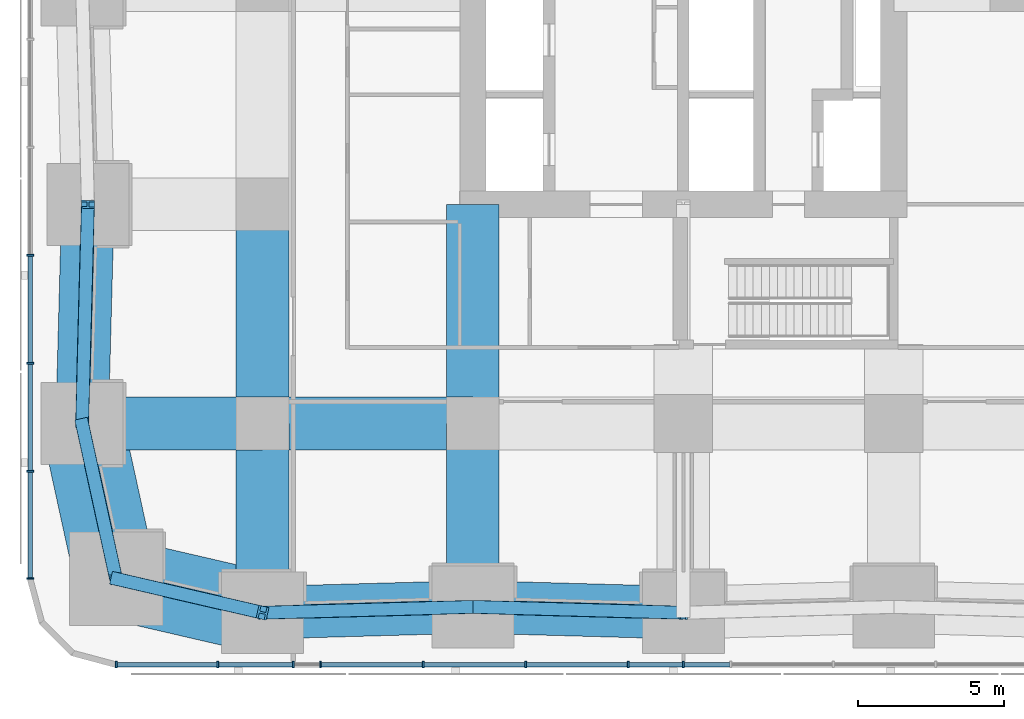
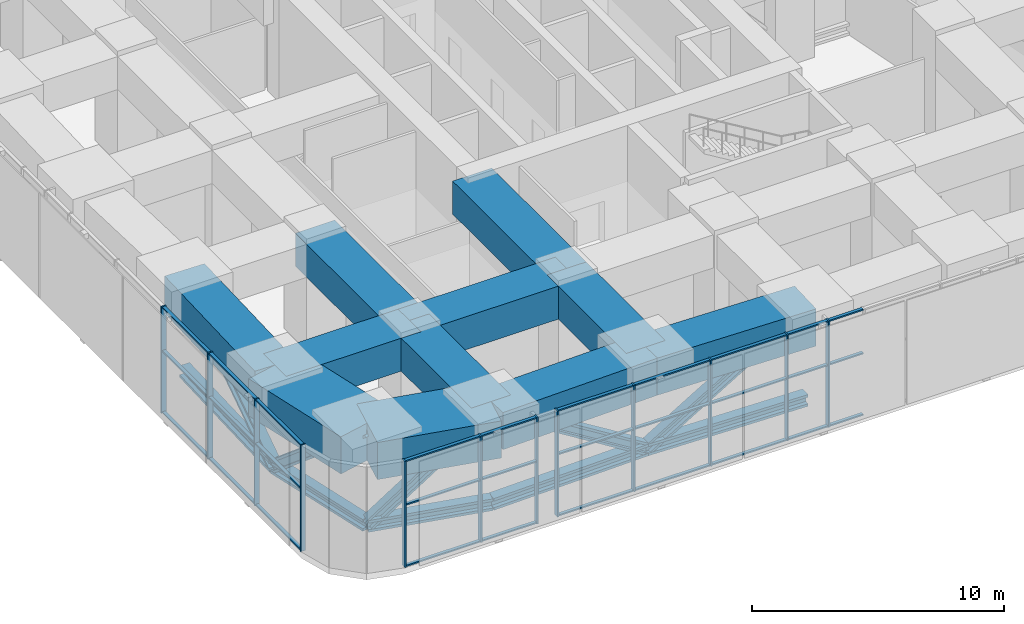
# One storey, part 2 of 20: 52 members, 11 beams, 2 elements without a shape of their own.
"""IFC4 building model written with IfcOpenShell, lengths in metres."""

import ifcopenshell
import ifcopenshell.guid

model = None  # the IFC model being written
_history = None  # IfcOwnerHistory: only IFC2X3 demands one
_inside = {}  # id of a spatial element -> (the spatial element, [elements in it])
_under = {}  # id of a project, library or spatial element -> (it, [spatial elements below it])
_declared = {}  # id of a project -> (the project, [libraries it declares])
_typed = {}  # id of a type object -> (the type object, [elements of that type])
_made_of = {}  # id of a material, layer set ... -> (it, [elements and type objects made of it])


def new_model(schema):
    """Start an empty IFC model of exactly this schema.

    Asked for "IFC4X3", IfcOpenShell would pick the latest addendum, in which some entities
    have other attributes; the version numbers below select the first issue.
    IFC2X3 requires an IfcOwnerHistory on every rooted entity: one is made here for all.
    """
    global model, _history
    if schema == "IFC4X3":
        model = ifcopenshell.file(schema_version=(4, 3, 0, 0))
    else:
        model = ifcopenshell.file(schema=schema)
    _inside.clear()
    _under.clear()
    _declared.clear()
    _typed.clear()
    _made_of.clear()
    _history = None
    if model.schema == "IFC2X3":
        org = make("IfcOrganization", Name="unknown")
        user = make(
            "IfcPersonAndOrganization",
            ThePerson=make("IfcPerson", FamilyName="unknown"),
            TheOrganization=org,
        )
        app = make(
            "IfcApplication",
            ApplicationDeveloper=org,
            Version="unknown",
            ApplicationFullName="unknown",
            ApplicationIdentifier="unknown",
        )
        _history = make(
            "IfcOwnerHistory",
            OwningUser=user,
            OwningApplication=app,
            ChangeAction="ADDED",
            CreationDate=0,
        )
    return model


def make(cls, **values):
    """One entity of the class cls with the attributes given. An attribute that is None is left unset."""
    return model.create_entity(
        cls, **{name: value for name, value in values.items() if value is not None}
    )


def rooted(cls, **values):
    """An entity with a GlobalId (a new one), such as an element, a storey or a relation."""
    return make(cls, GlobalId=ifcopenshell.guid.new(), OwnerHistory=_history, **values)


def si_unit(unit_type, name, prefix=None):
    """IfcSIUnit, for example si_unit("LENGTHUNIT", "METRE", prefix="MILLI")."""
    return make("IfcSIUnit", UnitType=unit_type, Prefix=prefix, Name=name)


def assignment(units):
    """IfcUnitAssignment: the units of a project."""
    return None if units is None else make("IfcUnitAssignment", Units=units)


def point(xyz):
    """IfcCartesianPoint."""
    return None if xyz is None else make("IfcCartesianPoint", Coordinates=xyz)


def direction(xyz):
    """IfcDirection."""
    return None if xyz is None else make("IfcDirection", DirectionRatios=xyz)


def frame(location, z_axis=None, x_axis=None):
    """IfcAxis2Placement3D, a coordinate frame: its origin and axes. An axis left out is left unset."""
    return make(
        "IfcAxis2Placement3D",
        Location=point(location),
        Axis=direction(z_axis),
        RefDirection=direction(x_axis),
    )


def frame_2d(location, x_axis=None):
    """IfcAxis2Placement2D, a coordinate frame in the plane: its origin and x axis."""
    return make(
        "IfcAxis2Placement2D", Location=point(location), RefDirection=direction(x_axis)
    )


def origin():
    """The frame at (0, 0, 0) with its axes left unset."""
    return frame((0.0, 0.0, 0.0))


def origin_2d():
    """The frame at (0, 0) in the plane with its x axis left unset."""
    return frame_2d((0.0, 0.0))


def place(relative_to, where):
    """IfcLocalPlacement: puts the frame where relative to a parent placement (None: the world)."""
    return make(
        "IfcLocalPlacement", PlacementRelTo=relative_to, RelativePlacement=where
    )


def context(
    kind, dimensions, precision=None, world=None, true_north=None, identifier=None
):
    """IfcGeometricRepresentationContext, for example the 3D "Model" context."""
    return make(
        "IfcGeometricRepresentationContext",
        ContextIdentifier=identifier,
        ContextType=kind,
        CoordinateSpaceDimension=dimensions,
        Precision=precision,
        WorldCoordinateSystem=world,
        TrueNorth=true_north,
    )


def subcontext(parent, identifier, kind, view, scale=None):
    """IfcGeometricRepresentationSubContext, for example "Body" below "Model"."""
    return make(
        "IfcGeometricRepresentationSubContext",
        ContextIdentifier=identifier,
        ContextType=kind,
        ParentContext=parent,
        TargetScale=scale,
        TargetView=view,
    )


def project(units=None, contexts=None):
    """IfcProject with its units and contexts."""
    return rooted(
        "IfcProject",
        Name="project",
        RepresentationContexts=contexts,
        UnitsInContext=assignment(units),
    )


def spatial(cls, under=None, at=None, **own):
    """A site, building, storey or space (cls), placed at a placement, below another one or the project."""
    s = rooted(cls, ObjectPlacement=at, **own)
    if under is not None:
        _under.setdefault(under.id(), (under, []))[1].append(s)
    return s


def profile(cls, at=None, kind="AREA", **sizes):
    """A parametric profile (cls). Its sizes go by their IFC names, for example OverallWidth=200.0."""
    return make(cls, ProfileType=kind, Position=at, **sizes)


def rectangle(**sizes):
    """IfcRectangleProfileDef."""
    return profile("IfcRectangleProfileDef", **sizes)


def i_section(**sizes):
    """IfcIShapeProfileDef."""
    return profile("IfcIShapeProfileDef", **sizes)


def extrude(swept, where, along, depth):
    """IfcExtrudedAreaSolid: the profile swept, set in the frame where, extruded along a direction by depth."""
    return make(
        "IfcExtrudedAreaSolid",
        SweptArea=swept,
        Position=where,
        ExtrudedDirection=direction(along),
        Depth=depth,
    )


def shape(context_of_items, identifier, shape_type, items):
    """IfcShapeRepresentation: the items that make up one representation, for example the "Body"."""
    return make(
        "IfcShapeRepresentation",
        ContextOfItems=context_of_items,
        RepresentationIdentifier=identifier,
        RepresentationType=shape_type,
        Items=items,
    )


def material(Name=None, Category=None):
    """IfcMaterial."""
    return make("IfcMaterial", Name=Name, Category=Category)


def material_profile(
    of_material, cross_section, Name=None, Category=None, Priority=None
):
    """IfcMaterialProfile: a cross section and its material."""
    return make(
        "IfcMaterialProfile",
        Name=Name,
        Material=of_material,
        Profile=cross_section,
        Priority=Priority,
        Category=Category,
    )


def profile_set(profiles, Name=None, composite=None):
    """IfcMaterialProfileSet."""
    return make(
        "IfcMaterialProfileSet",
        Name=Name,
        MaterialProfiles=profiles,
        CompositeProfile=composite,
    )


def made_of(thing, what):
    """Note that an element or type object is made of a material, layer set ...; save() writes the relation."""
    if what is not None:
        _made_of.setdefault(what.id(), (what, []))[1].append(thing)
    return thing


def type_object(cls, material=None, **own):
    """A type object (cls), such as IfcWallType, which elements share."""
    return made_of(rooted(cls, **own), material)


def element(
    cls,
    number,
    at=None,
    inside=None,
    cuts=None,
    type_object=None,
    material=None,
    context=None,
    identifier="Body",
    shape_type=None,
    held_by="IfcProductDefinitionShape",
    body=None,
    shapes=None,
    **own,
):
    """One element of the class cls, such as IfcWall. Its Tag is "e" and its number.

    at: its placement. inside: the storey or other place that contains it. cuts: it is an
    opening in that element (IfcRelVoidsElement). A single representation is given by context,
    identifier, shape_type and body (its items); several are given by shapes. held_by: the class
    of the entity that holds the representations. save() writes the other relations.
    """
    e = rooted(cls, Tag="e%d" % number, ObjectPlacement=at, **own)
    if body is not None:
        shapes = [shape(context, identifier, shape_type, body)]
    if shapes is not None:
        e.Representation = make(held_by, Representations=shapes)
    if inside is not None:
        _inside.setdefault(inside.id(), (inside, []))[1].append(e)
    if cuts is not None:
        rooted(
            "IfcRelVoidsElement", RelatingBuildingElement=cuts, RelatedOpeningElement=e
        )
    if type_object is not None:
        _typed.setdefault(type_object.id(), (type_object, []))[1].append(e)
    return made_of(e, material)


def aggregate(whole, parts):
    """IfcRelAggregates: a whole, such as a stair, and the parts it consists of."""
    return rooted("IfcRelAggregates", RelatingObject=whole, RelatedObjects=parts)


def save(model, path):
    """Write the relations noted so far, then the file.

    IfcRelAggregates (storeys below a building ...), IfcRelContainedInSpatialStructure (elements
    in a storey), IfcRelDefinesByType, IfcRelAssociatesMaterial and IfcRelDeclares: one each for
    every whole, place, type object, material and project.
    """
    for whole, parts in _under.values():
        aggregate(whole, parts)
    for where, things in _inside.values():
        rooted(
            "IfcRelContainedInSpatialStructure",
            RelatedElements=things,
            RelatingStructure=where,
        )
    for kind, things in _typed.values():
        rooted("IfcRelDefinesByType", RelatedObjects=things, RelatingType=kind)
    for what, things in _made_of.values():
        rooted("IfcRelAssociatesMaterial", RelatedObjects=things, RelatingMaterial=what)
    for by, libraries in _declared.values():
        rooted("IfcRelDeclares", RelatingContext=by, RelatedDefinitions=libraries)
    model.write(path)


model = new_model("IFC4")

# Units and contexts
model_context = context("Model", 3, precision=1e-05, world=origin(), true_north=direction((0.0, 1.0)))
body_context = subcontext(model_context, "Body", "Model", "MODEL_VIEW")
ifc_project = project(units=[si_unit("LENGTHUNIT", "METRE"), si_unit("AREAUNIT", "SQUARE_METRE"), si_unit("VOLUMEUNIT", "CUBIC_METRE"), si_unit("PLANEANGLEUNIT", "RADIAN"), si_unit("MASSUNIT", "GRAM", prefix="KILO")], contexts=[model_context])

# Site, building, storey
site_placement = place(None, origin())
site = spatial("IfcSite", under=ifc_project, at=site_placement, CompositionType="ELEMENT")
building_placement = place(site_placement, origin())
building = spatial("IfcBuilding", under=site, at=building_placement, Name="Sheger Commons Tower", CompositionType="ELEMENT")
storey_placement = place(building_placement, frame((0.0, 0.0, 72.5)))
storey = spatial("IfcBuildingStorey", under=building, at=storey_placement, Name="L18", CompositionType="ELEMENT", Elevation=72.5)

# Beams
ifc_material_1 = material(Name="Concrete C50/60", Category="concrete")
ifc_material_profile_1 = material_profile(ifc_material_1, rectangle(XDim=1.800048828125, YDim=1.60009765625, at=origin_2d()), Name="RC 1800x1600")
ifc_profile_set_1 = profile_set([ifc_material_profile_1], Name="Concrete C50/60")
beam_type_1 = type_object("IfcBeamType", Name="BEAM RC 1800x1600", PredefinedType="BEAM", material=ifc_profile_set_1)
beam_1_placement = place(storey_placement, frame((1.02490234375, 7.5, 4.35009765625), z_axis=(1.0, 0.0, 0.0), x_axis=(0.0, 1.0, 0.0)))
element("IfcBeam", 1, at=beam_1_placement, inside=storey, type_object=beam_type_1, Name="Beam 1/B-2/B under L19", PredefinedType="BEAM", context=body_context, shape_type="SweptSolid", body=[
    extrude(rectangle(XDim=1.800048828125, YDim=1.60009765625, at=origin_2d()), origin(), (0.0, 0.0, 1.0), 6.175048828125),
])
beam_2_placement = place(storey_placement, frame((7.199951171875, 7.5, 4.35009765625), z_axis=(1.0, 0.0, 0.0), x_axis=(0.0, 1.0, 0.0)))
element("IfcBeam", 2, at=beam_2_placement, inside=storey, type_object=beam_type_1, Name="Beam 2/B-3/B under L19", PredefinedType="BEAM", context=body_context, shape_type="SweptSolid", body=[
    extrude(rectangle(XDim=1.800048828125, YDim=1.60009765625, at=origin_2d()), origin(), (0.0, 0.0, 1.0), 7.199951171875),
])
beam_3_placement = place(storey_placement, frame((7.199951171875, 1.02490234375, 4.35009765625), z_axis=(0.0, 1.0, 0.0), x_axis=(-1.0, 0.0, 0.0)))
element("IfcBeam", 3, at=beam_3_placement, inside=storey, type_object=beam_type_1, Name="Beam 2/A-2/B under L19", PredefinedType="BEAM", context=body_context, shape_type="SweptSolid", body=[
    extrude(rectangle(XDim=1.800048828125, YDim=1.60009765625, at=origin_2d()), origin(), (0.0, 0.0, 1.0), 6.47509765625),
])
beam_4_placement = place(storey_placement, frame((7.199951171875, 7.5, 4.35009765625), z_axis=(0.0, 1.0, 0.0), x_axis=(-1.0, 0.0, 0.0)))
element("IfcBeam", 4, at=beam_4_placement, inside=storey, type_object=beam_type_1, Name="Beam 2/B-2/C under L19", PredefinedType="BEAM", context=body_context, shape_type="SweptSolid", body=[
    extrude(rectangle(XDim=1.800048828125, YDim=1.60009765625, at=origin_2d()), origin(), (0.0, 0.0, 1.0), 7.5),
])
beam_5_placement = place(storey_placement, frame((14.39990234375, 1.22509765625, 4.35009765625), z_axis=(0.0, 1.0, 0.0), x_axis=(-1.0, 0.0, 0.0)))
element("IfcBeam", 5, at=beam_5_placement, inside=storey, type_object=beam_type_1, Name="Beam 3/A-3/B under L19", PredefinedType="BEAM", context=body_context, shape_type="SweptSolid", body=[
    extrude(rectangle(XDim=1.800048828125, YDim=1.60009765625, at=origin_2d()), origin(), (0.0, 0.0, 1.0), 6.27490234375),
])
beam_6_placement = place(storey_placement, frame((14.39990234375, 7.5, 4.35009765625), z_axis=(0.0, 1.0, 0.0), x_axis=(-1.0, 0.0, 0.0)))
element("IfcBeam", 6, at=beam_6_placement, inside=storey, type_object=beam_type_1, Name="Beam 3/B-3/C under L19", PredefinedType="BEAM", context=body_context, shape_type="SweptSolid", body=[
    extrude(rectangle(XDim=1.800048828125, YDim=1.60009765625, at=origin_2d()), origin(), (0.0, 0.0, 1.0), 7.5),
])

# Members
ifc_material_2 = material(Name="Steel S460", Category="steel")
ifc_material_profile_2 = material_profile(ifc_material_2, i_section(OverallWidth=0.44189453125, OverallDepth=0.531005859375, WebThickness=0.06591796875, FlangeThickness=0.10595703125, at=origin_2d()), Name="HD 400x900")
ifc_profile_set_2 = profile_set([ifc_material_profile_2], Name="Steel S460")
member_type_1 = type_object("IfcMemberType", Name="BRACE HD 400x900", PredefinedType="BRACE", material=ifc_profile_set_2)
member_1_placement = place(storey_placement, frame((2.18603515625, 2.18603515625, 0.300048828125), z_axis=(0.729876933759, -0.169026376635, 0.662351678165), x_axis=(0.225611239159, 0.974217413499, 0.0)))
element("IfcMember", 7, at=member_1_placement, inside=storey, type_object=member_type_1, Name="Belt truss diagonal 2.186,2.186-7.200,1.025", PredefinedType="BRACE", context=body_context, shape_type="SweptSolid", body=[
    extrude(i_section(OverallWidth=0.44189453125, OverallDepth=0.531005859375, WebThickness=0.06591796875, FlangeThickness=0.10595703125, at=origin_2d()), origin(), (0.0, 0.0, 1.0), 6.86962890625),
])
member_2_placement = place(storey_placement, frame((14.39990234375, 1.22509765625, 0.300048828125), z_axis=(-0.845111730935, -0.023498410341, 0.534073016494), x_axis=(0.027794350926, -0.9996136624, 0.0)))
element("IfcMember", 8, at=member_2_placement, inside=storey, type_object=member_type_1, Name="Belt truss diagonal 7.200,1.025-14.400,1.225", PredefinedType="BRACE", context=body_context, shape_type="SweptSolid", body=[
    extrude(i_section(OverallWidth=0.44189453125, OverallDepth=0.531005859375, WebThickness=0.06591796875, FlangeThickness=0.10595703125, at=origin_2d()), origin(), (0.0, 0.0, 1.0), 8.51953125),
])
member_3_placement = place(storey_placement, frame((14.39990234375, 1.22509765625, 0.300048828125), z_axis=(0.845119920297, -0.023497841267, 0.53406008255), x_axis=(0.027793409217, 0.999613688584, 0.0)))
element("IfcMember", 9, at=member_3_placement, inside=storey, type_object=member_type_1, Name="Belt truss diagonal 14.400,1.225-21.600,1.025", PredefinedType="BRACE", context=body_context, shape_type="SweptSolid", body=[
    extrude(i_section(OverallWidth=0.44189453125, OverallDepth=0.531005859375, WebThickness=0.06591796875, FlangeThickness=0.10595703125, at=origin_2d()), origin(), (0.0, 0.0, 1.0), 8.519775390625),
])
member_4_placement = place(storey_placement, frame((1.02490234375, 7.5, 0.300048828125), z_axis=(0.022815406971, 0.854743051392, 0.518549682578), x_axis=(-0.999643939919, 0.026683204125, 0.0)))
element("IfcMember", 10, at=member_4_placement, inside=storey, type_object=member_type_1, Name="Belt truss diagonal 1+1225/C-1+1025/B", PredefinedType="BRACE", context=body_context, shape_type="SweptSolid", body=[
    extrude(i_section(OverallWidth=0.44189453125, OverallDepth=0.531005859375, WebThickness=0.06591796875, FlangeThickness=0.10595703125, at=origin_2d()), origin(), (0.0, 0.0, 1.0), 8.774658203125),
])
member_5_placement = place(storey_placement, frame((1.02490234375, 7.5, 0.300048828125), z_axis=(0.163735815706, -0.749342675496, 0.641619932152), x_axis=(0.976949769283, 0.213469314652, 0.0)))
element("IfcMember", 11, at=member_5_placement, inside=storey, type_object=member_type_1, Name="Belt truss diagonal 1+1025/B-2.186,2.186", PredefinedType="BRACE", context=body_context, shape_type="SweptSolid", body=[
    extrude(i_section(OverallWidth=0.44189453125, OverallDepth=0.531005859375, WebThickness=0.06591796875, FlangeThickness=0.10595703125, at=origin_2d()), origin(), (0.0, 0.0, 1.0), 7.091552734375),
])
ifc_material_3 = material(Name="Steel S460", Category="steel")
ifc_material_profile_3 = material_profile(ifc_material_3, i_section(OverallWidth=0.4541015625, OverallDepth=0.569091796875, WebThickness=0.077880859375, FlangeThickness=0.125, at=origin_2d()), Name="HD 400x1086")
ifc_profile_set_3 = profile_set([ifc_material_profile_3], Name="Steel S460")
member_type_2 = type_object("IfcMemberType", Name="CHORD HD 400x1086", PredefinedType="CHORD", material=ifc_profile_set_3)
member_6_placement = place(storey_placement, frame((2.18603515625, 2.18603515625, 0.300048828125), z_axis=(0.974217413499, -0.225611239159, 0.0), x_axis=(0.225611239159, 0.974217413499, 0.0)))
element("IfcMember", 12, at=member_6_placement, inside=storey, type_object=member_type_2, Name="Belt truss bottom chord 2.186,2.186-7.200,1.025", PredefinedType="CHORD", context=body_context, shape_type="SweptSolid", body=[
    extrude(i_section(OverallWidth=0.4541015625, OverallDepth=0.569091796875, WebThickness=0.077880859375, FlangeThickness=0.125, at=origin_2d()), origin(), (0.0, 0.0, 1.0), 5.146728515625),
])
member_7_placement = place(storey_placement, frame((7.199951171875, 1.02490234375, 0.300048828125), z_axis=(0.9996136624, 0.027794350926, 0.0), x_axis=(-0.027794350926, 0.9996136624, 0.0)))
element("IfcMember", 13, at=member_7_placement, inside=storey, type_object=member_type_2, Name="Belt truss bottom chord 7.200,1.025-14.400,1.225", PredefinedType="CHORD", context=body_context, shape_type="SweptSolid", body=[
    extrude(i_section(OverallWidth=0.4541015625, OverallDepth=0.569091796875, WebThickness=0.077880859375, FlangeThickness=0.125, at=origin_2d()), origin(), (0.0, 0.0, 1.0), 7.20263671875),
])
member_8_placement = place(storey_placement, frame((14.39990234375, 1.22509765625, 0.300048828125), z_axis=(0.999613688584, -0.027793409217, 0.0), x_axis=(0.027793409217, 0.999613688584, 0.0)))
element("IfcMember", 14, at=member_8_placement, inside=storey, type_object=member_type_2, Name="Belt truss bottom chord 14.400,1.225-21.600,1.025", PredefinedType="CHORD", context=body_context, shape_type="SweptSolid", body=[
    extrude(i_section(OverallWidth=0.4541015625, OverallDepth=0.569091796875, WebThickness=0.077880859375, FlangeThickness=0.125, at=origin_2d()), origin(), (0.0, 0.0, 1.0), 7.202880859375),
])
member_9_placement = place(storey_placement, frame((1.22509765625, 15.0, 0.300048828125), z_axis=(-0.026683204125, -0.999643939919, 0.0), x_axis=(0.999643939919, -0.026683204125, 0.0)))
element("IfcMember", 15, at=member_9_placement, inside=storey, type_object=member_type_2, Name="Belt truss bottom chord 1+1225/C-1+1025/B", PredefinedType="CHORD", context=body_context, shape_type="SweptSolid", body=[
    extrude(i_section(OverallWidth=0.4541015625, OverallDepth=0.569091796875, WebThickness=0.077880859375, FlangeThickness=0.125, at=origin_2d()), origin(), (0.0, 0.0, 1.0), 7.502685546875),
])
member_10_placement = place(storey_placement, frame((1.02490234375, 7.5, 0.300048828125), z_axis=(0.213469314652, -0.976949769283, 0.0), x_axis=(0.976949769283, 0.213469314652, 0.0)))
element("IfcMember", 16, at=member_10_placement, inside=storey, type_object=member_type_2, Name="Belt truss bottom chord 1+1025/B-2.186,2.186", PredefinedType="CHORD", context=body_context, shape_type="SweptSolid", body=[
    extrude(i_section(OverallWidth=0.4541015625, OverallDepth=0.569091796875, WebThickness=0.077880859375, FlangeThickness=0.125, at=origin_2d()), origin(), (0.0, 0.0, 1.0), 5.439453125),
])

# Curtain wall, members
ifc_material_4 = material(Name="Black aluminium curtain wall, dark tinted glazing", Category="aluminium")
curtain_wall_type = type_object("IfcCurtainWallType", Name="CURTAIN WALL CW3 SKY FLOOR", PredefinedType="USERDEFINED", material=ifc_material_4)
curtain_wall_1_placement = place(storey_placement, origin())
curtain_wall_1 = element("IfcCurtainWall", 17, at=curtain_wall_1_placement, inside=storey, type_object=curtain_wall_type, Name="Curtain Wall Cw3 Sky Floor S1 L18", ObjectType="UNITISED CURTAIN WALL", PredefinedType="USERDEFINED")
ifc_material_5 = material(Name="Black anodised aluminium", Category="aluminium")
ifc_material_profile_4 = material_profile(ifc_material_5, rectangle(XDim=0.22509765625, YDim=0.06494140625, at=origin_2d()), Name="AL 65x225")
ifc_profile_set_4 = profile_set([ifc_material_profile_4], Name="Black anodised aluminium")
member_type_3 = type_object("IfcMemberType", Name="MULLION AL 65x225", PredefinedType="MULLION", material=ifc_profile_set_4)
member_11_placement = place(storey_placement, frame((2.195556640625, -0.75, 0.0), z_axis=(0.0, 0.0, 1.0), x_axis=(0.0, 1.0, 0.0)))
member_11 = element("IfcMember", 18, at=member_11_placement, type_object=member_type_3, Name="CW3 mullion 1", PredefinedType="MULLION", context=body_context, shape_type="SweptSolid", body=[
    extrude(rectangle(XDim=0.22509765625, YDim=0.06494140625, at=origin_2d()), origin(), (0.0, 0.0, 1.0), 5.14990234375),
])
member_12_placement = place(storey_placement, frame((5.673095703125, -0.75, 0.0), z_axis=(0.0, 0.0, 1.0), x_axis=(0.0, 1.0, 0.0)))
member_12 = element("IfcMember", 19, at=member_12_placement, type_object=member_type_3, Name="CW3 mullion 2", PredefinedType="MULLION", context=body_context, shape_type="SweptSolid", body=[
    extrude(rectangle(XDim=0.22509765625, YDim=0.06494140625, at=origin_2d()), origin(), (0.0, 0.0, 1.0), 5.14990234375),
])
member_13_placement = place(storey_placement, frame((8.25, -0.75, 0.0), z_axis=(0.0, 0.0, 1.0), x_axis=(0.0, 1.0, 0.0)))
member_13 = element("IfcMember", 20, at=member_13_placement, type_object=member_type_3, Name="CW3 mullion 3", PredefinedType="MULLION", context=body_context, shape_type="SweptSolid", body=[
    extrude(rectangle(XDim=0.22509765625, YDim=0.06494140625, at=origin_2d()), origin(), (0.0, 0.0, 1.0), 5.14990234375),
])
member_14_placement = place(storey_placement, frame((9.18310546875, -0.75, 0.0), z_axis=(0.0, 0.0, 1.0), x_axis=(0.0, 1.0, 0.0)))
member_14 = element("IfcMember", 21, at=member_14_placement, type_object=member_type_3, Name="CW3 mullion 4", PredefinedType="MULLION", context=body_context, shape_type="SweptSolid", body=[
    extrude(rectangle(XDim=0.22509765625, YDim=0.06494140625, at=origin_2d()), origin(), (0.0, 0.0, 1.0), 5.14990234375),
])
member_15_placement = place(storey_placement, frame((12.693115234375, -0.75, 0.0), z_axis=(0.0, 0.0, 1.0), x_axis=(0.0, 1.0, 0.0)))
member_15 = element("IfcMember", 22, at=member_15_placement, type_object=member_type_3, Name="CW3 mullion 5", PredefinedType="MULLION", context=body_context, shape_type="SweptSolid", body=[
    extrude(rectangle(XDim=0.22509765625, YDim=0.06494140625, at=origin_2d()), origin(), (0.0, 0.0, 1.0), 5.14990234375),
])
member_16_placement = place(storey_placement, frame((16.201904296875, -0.75, 0.0), z_axis=(0.0, 0.0, 1.0), x_axis=(0.0, 1.0, 0.0)))
member_16 = element("IfcMember", 23, at=member_16_placement, type_object=member_type_3, Name="CW3 mullion 6", PredefinedType="MULLION", context=body_context, shape_type="SweptSolid", body=[
    extrude(rectangle(XDim=0.22509765625, YDim=0.06494140625, at=origin_2d()), origin(), (0.0, 0.0, 1.0), 5.14990234375),
])
member_17_placement = place(storey_placement, frame((19.7119140625, -0.75, 0.0), z_axis=(0.0, 0.0, 1.0), x_axis=(0.0, 1.0, 0.0)))
member_17 = element("IfcMember", 24, at=member_17_placement, type_object=member_type_3, Name="CW3 mullion 7", PredefinedType="MULLION", context=body_context, shape_type="SweptSolid", body=[
    extrude(rectangle(XDim=0.22509765625, YDim=0.06494140625, at=origin_2d()), origin(), (0.0, 0.0, 1.0), 5.14990234375),
])
member_18_placement = place(storey_placement, frame((21.60009765625, -0.75, 0.0), z_axis=(0.0, 0.0, 1.0), x_axis=(0.0, 1.0, 0.0)))
member_18 = element("IfcMember", 25, at=member_18_placement, type_object=member_type_3, Name="CW3 mullion 8", PredefinedType="MULLION", context=body_context, shape_type="SweptSolid", body=[
    extrude(rectangle(XDim=0.22509765625, YDim=0.06494140625, at=origin_2d()), origin(), (0.0, 0.0, 1.0), 5.14990234375),
])

curtain_wall_2_placement = place(storey_placement, origin())
curtain_wall_2 = element("IfcCurtainWall", 26, at=curtain_wall_2_placement, inside=storey, type_object=curtain_wall_type, Name="Curtain Wall Cw3 Sky Floor W1 L18", ObjectType="UNITISED CURTAIN WALL", PredefinedType="USERDEFINED")
member_19_placement = place(storey_placement, frame((-0.75, 13.256103515625, 0.0), z_axis=(0.0, 0.0, 1.0), x_axis=(1.0, 0.0, 0.0)))
member_19 = element("IfcMember", 27, at=member_19_placement, type_object=member_type_3, Name="CW3 mullion 10", PredefinedType="MULLION", context=body_context, shape_type="SweptSolid", body=[
    extrude(rectangle(XDim=0.22509765625, YDim=0.06494140625, at=origin_2d()), origin(), (0.0, 0.0, 1.0), 5.14990234375),
])
member_20_placement = place(storey_placement, frame((-0.75, 9.55810546875, 0.0), z_axis=(0.0, 0.0, 1.0), x_axis=(1.0, 0.0, 0.0)))
member_20 = element("IfcMember", 28, at=member_20_placement, type_object=member_type_3, Name="CW3 mullion 11", PredefinedType="MULLION", context=body_context, shape_type="SweptSolid", body=[
    extrude(rectangle(XDim=0.22509765625, YDim=0.06494140625, at=origin_2d()), origin(), (0.0, 0.0, 1.0), 5.14990234375),
])
member_21_placement = place(storey_placement, frame((-0.75, 5.861083984375, 0.0), z_axis=(0.0, 0.0, 1.0), x_axis=(1.0, 0.0, 0.0)))
member_21 = element("IfcMember", 29, at=member_21_placement, type_object=member_type_3, Name="CW3 mullion 12", PredefinedType="MULLION", context=body_context, shape_type="SweptSolid", body=[
    extrude(rectangle(XDim=0.22509765625, YDim=0.06494140625, at=origin_2d()), origin(), (0.0, 0.0, 1.0), 5.14990234375),
])
member_22_placement = place(storey_placement, frame((-0.75, 2.195556640625, 0.0), z_axis=(0.0, 0.0, 1.0), x_axis=(1.0, 0.0, 0.0)))
member_22 = element("IfcMember", 30, at=member_22_placement, type_object=member_type_3, Name="CW3 mullion 13", PredefinedType="MULLION", context=body_context, shape_type="SweptSolid", body=[
    extrude(rectangle(XDim=0.22509765625, YDim=0.06494140625, at=origin_2d()), origin(), (0.0, 0.0, 1.0), 5.14990234375),
])

# Beams
ifc_material_6 = material(Name="Concrete C50/60", Category="concrete")
ifc_material_profile_5 = material_profile(ifc_material_6, rectangle(XDim=1.800048828125, YDim=1.800048828125, at=origin_2d()), Name="RC 1800x1800")
ifc_profile_set_5 = profile_set([ifc_material_profile_5], Name="Concrete C50/60")
beam_type_2 = type_object("IfcBeamType", Name="SPANDREL RC 1800x1800", PredefinedType="SPANDREL", material=ifc_profile_set_5)
beam_7_placement = place(storey_placement, frame((7.199951171875, 1.02490234375, 4.25), z_axis=(0.9996136624, 0.027794350926, 0.0), x_axis=(-0.027794350926, 0.9996136624, 0.0)))
element("IfcBeam", 31, at=beam_7_placement, inside=storey, type_object=beam_type_2, Name="Beam 2/A-3/A under L19", PredefinedType="SPANDREL", context=body_context, shape_type="SweptSolid", body=[
    extrude(rectangle(XDim=1.800048828125, YDim=1.800048828125, at=origin_2d()), origin(), (0.0, 0.0, 1.0), 7.20263671875),
])
beam_8_placement = place(storey_placement, frame((14.39990234375, 1.22509765625, 4.25), z_axis=(0.999613688584, -0.027793409217, 0.0), x_axis=(0.027793409217, 0.999613688584, 0.0)))
element("IfcBeam", 32, at=beam_8_placement, inside=storey, type_object=beam_type_2, Name="Beam 3/A-4/A under L19", PredefinedType="SPANDREL", context=body_context, shape_type="SweptSolid", body=[
    extrude(rectangle(XDim=1.800048828125, YDim=1.800048828125, at=origin_2d()), origin(), (0.0, 0.0, 1.0), 7.202880859375),
])
beam_9_placement = place(storey_placement, frame((1.22509765625, 15.0, 4.25), z_axis=(-0.026683204125, -0.999643939919, 0.0), x_axis=(0.999643939919, -0.026683204125, 0.0)))
element("IfcBeam", 33, at=beam_9_placement, inside=storey, type_object=beam_type_2, Name="Beam 1/C-1/B under L19", PredefinedType="SPANDREL", context=body_context, shape_type="SweptSolid", body=[
    extrude(rectangle(XDim=1.800048828125, YDim=1.800048828125, at=origin_2d()), origin(), (0.0, 0.0, 1.0), 7.502685546875),
])
ifc_material_7 = material(Name="Concrete C50/60", Category="concrete")
ifc_material_profile_6 = material_profile(ifc_material_7, rectangle(XDim=2.800048828125, YDim=1.800048828125, at=origin_2d()), Name="RC 2800x1800")
ifc_profile_set_6 = profile_set([ifc_material_profile_6], Name="Concrete C50/60")
beam_type_3 = type_object("IfcBeamType", Name="SPANDREL RC 2800x1800", PredefinedType="SPANDREL", material=ifc_profile_set_6)
beam_10_placement = place(storey_placement, frame((2.18603515625, 2.18603515625, 4.25), z_axis=(0.974217413499, -0.225611239159, 0.0), x_axis=(0.225611239159, 0.974217413499, 0.0)))
element("IfcBeam", 34, at=beam_10_placement, inside=storey, type_object=beam_type_3, Name="Beam 0.630,0.630-2/A under L19", PredefinedType="SPANDREL", context=body_context, shape_type="SweptSolid", body=[
    extrude(rectangle(XDim=2.800048828125, YDim=1.800048828125, at=origin_2d()), origin(), (0.0, 0.0, 1.0), 5.146728515625),
])
beam_11_placement = place(storey_placement, frame((1.02490234375, 7.5, 4.25), z_axis=(0.213469314652, -0.976949769283, 0.0), x_axis=(0.976949769283, 0.213469314652, 0.0)))
element("IfcBeam", 35, at=beam_11_placement, inside=storey, type_object=beam_type_3, Name="Beam 1/B-0.630,0.630 under L19", PredefinedType="SPANDREL", context=body_context, shape_type="SweptSolid", body=[
    extrude(rectangle(XDim=2.800048828125, YDim=1.800048828125, at=origin_2d()), origin(), (0.0, 0.0, 1.0), 5.439453125),
])

# Member
ifc_material_8 = material(Name="Black anodised aluminium", Category="aluminium")
ifc_material_profile_7 = material_profile(ifc_material_8, rectangle(XDim=0.14990234375, YDim=0.06494140625, at=origin_2d()), Name="AL 65x150")
ifc_profile_set_7 = profile_set([ifc_material_profile_7], Name="Black anodised aluminium")
member_type_4 = type_object("IfcMemberType", Name="TRANSOM AL 65x150", PredefinedType="USERDEFINED", material=ifc_profile_set_7)
member_23_placement = place(storey_placement, frame((2.22802734375, -0.75, 0.032470703125), z_axis=(1.0, 0.0, 0.0), x_axis=(0.0, 1.0, 0.0)))
member_23 = element("IfcMember", 36, at=member_23_placement, type_object=member_type_4, Name="CW3 transom 1.1", ObjectType="TRANSOM", PredefinedType="USERDEFINED", context=body_context, shape_type="SweptSolid", body=[
    extrude(rectangle(XDim=0.14990234375, YDim=0.06494140625, at=origin_2d()), origin(), (0.0, 0.0, 1.0), 3.412353515625),
])

member_24_placement = place(storey_placement, frame((2.22802734375, -0.75, 3.0), z_axis=(1.0, 0.0, 0.0), x_axis=(0.0, 1.0, 0.0)))
member_24 = element("IfcMember", 37, at=member_24_placement, type_object=member_type_4, Name="CW3 transom 1.2", ObjectType="TRANSOM", PredefinedType="USERDEFINED", context=body_context, shape_type="SweptSolid", body=[
    extrude(rectangle(XDim=0.14990234375, YDim=0.06494140625, at=origin_2d()), origin(), (0.0, 0.0, 1.0), 3.412353515625),
])

member_25_placement = place(storey_placement, frame((2.22802734375, -0.75, 5.117431640625), z_axis=(1.0, 0.0, 0.0), x_axis=(0.0, 1.0, 0.0)))
member_25 = element("IfcMember", 38, at=member_25_placement, type_object=member_type_4, Name="CW3 transom 1.3", ObjectType="TRANSOM", PredefinedType="USERDEFINED", context=body_context, shape_type="SweptSolid", body=[
    extrude(rectangle(XDim=0.14990234375, YDim=0.06494140625, at=origin_2d()), origin(), (0.0, 0.0, 1.0), 3.412353515625),
])

member_26_placement = place(storey_placement, frame((5.70556640625, -0.75, 0.032470703125), z_axis=(1.0, 0.0, 0.0), x_axis=(0.0, 1.0, 0.0)))
member_26 = element("IfcMember", 39, at=member_26_placement, type_object=member_type_4, Name="CW3 transom 2.1", ObjectType="TRANSOM", PredefinedType="USERDEFINED", context=body_context, shape_type="SweptSolid", body=[
    extrude(rectangle(XDim=0.14990234375, YDim=0.06494140625, at=origin_2d()), origin(), (0.0, 0.0, 1.0), 2.511962890625),
])

member_27_placement = place(storey_placement, frame((5.70556640625, -0.75, 3.0), z_axis=(1.0, 0.0, 0.0), x_axis=(0.0, 1.0, 0.0)))
member_27 = element("IfcMember", 40, at=member_27_placement, type_object=member_type_4, Name="CW3 transom 2.2", ObjectType="TRANSOM", PredefinedType="USERDEFINED", context=body_context, shape_type="SweptSolid", body=[
    extrude(rectangle(XDim=0.14990234375, YDim=0.06494140625, at=origin_2d()), origin(), (0.0, 0.0, 1.0), 2.511962890625),
])

member_28_placement = place(storey_placement, frame((5.70556640625, -0.75, 5.117431640625), z_axis=(1.0, 0.0, 0.0), x_axis=(0.0, 1.0, 0.0)))
member_28 = element("IfcMember", 41, at=member_28_placement, type_object=member_type_4, Name="CW3 transom 2.3", ObjectType="TRANSOM", PredefinedType="USERDEFINED", context=body_context, shape_type="SweptSolid", body=[
    extrude(rectangle(XDim=0.14990234375, YDim=0.06494140625, at=origin_2d()), origin(), (0.0, 0.0, 1.0), 2.511962890625),
])

member_29_placement = place(storey_placement, frame((9.215576171875, -0.75, 0.032470703125), z_axis=(1.0, 0.0, 0.0), x_axis=(0.0, 1.0, 0.0)))
member_29 = element("IfcMember", 42, at=member_29_placement, type_object=member_type_4, Name="CW3 transom 4.1", ObjectType="TRANSOM", PredefinedType="USERDEFINED", context=body_context, shape_type="SweptSolid", body=[
    extrude(rectangle(XDim=0.14990234375, YDim=0.06494140625, at=origin_2d()), origin(), (0.0, 0.0, 1.0), 3.44482421875),
])

member_30_placement = place(storey_placement, frame((9.215576171875, -0.75, 3.0), z_axis=(1.0, 0.0, 0.0), x_axis=(0.0, 1.0, 0.0)))
member_30 = element("IfcMember", 43, at=member_30_placement, type_object=member_type_4, Name="CW3 transom 4.2", ObjectType="TRANSOM", PredefinedType="USERDEFINED", context=body_context, shape_type="SweptSolid", body=[
    extrude(rectangle(XDim=0.14990234375, YDim=0.06494140625, at=origin_2d()), origin(), (0.0, 0.0, 1.0), 3.44482421875),
])

member_31_placement = place(storey_placement, frame((9.215576171875, -0.75, 5.117431640625), z_axis=(1.0, 0.0, 0.0), x_axis=(0.0, 1.0, 0.0)))
member_31 = element("IfcMember", 44, at=member_31_placement, type_object=member_type_4, Name="CW3 transom 4.3", ObjectType="TRANSOM", PredefinedType="USERDEFINED", context=body_context, shape_type="SweptSolid", body=[
    extrude(rectangle(XDim=0.14990234375, YDim=0.06494140625, at=origin_2d()), origin(), (0.0, 0.0, 1.0), 3.44482421875),
])

member_32_placement = place(storey_placement, frame((12.7255859375, -0.75, 0.032470703125), z_axis=(1.0, 0.0, 0.0), x_axis=(0.0, 1.0, 0.0)))
member_32 = element("IfcMember", 45, at=member_32_placement, type_object=member_type_4, Name="CW3 transom 5.1", ObjectType="TRANSOM", PredefinedType="USERDEFINED", context=body_context, shape_type="SweptSolid", body=[
    extrude(rectangle(XDim=0.14990234375, YDim=0.06494140625, at=origin_2d()), origin(), (0.0, 0.0, 1.0), 3.44384765625),
])

member_33_placement = place(storey_placement, frame((12.7255859375, -0.75, 3.0), z_axis=(1.0, 0.0, 0.0), x_axis=(0.0, 1.0, 0.0)))
member_33 = element("IfcMember", 46, at=member_33_placement, type_object=member_type_4, Name="CW3 transom 5.2", ObjectType="TRANSOM", PredefinedType="USERDEFINED", context=body_context, shape_type="SweptSolid", body=[
    extrude(rectangle(XDim=0.14990234375, YDim=0.06494140625, at=origin_2d()), origin(), (0.0, 0.0, 1.0), 3.44384765625),
])

member_34_placement = place(storey_placement, frame((12.7255859375, -0.75, 5.117431640625), z_axis=(1.0, 0.0, 0.0), x_axis=(0.0, 1.0, 0.0)))
member_34 = element("IfcMember", 47, at=member_34_placement, type_object=member_type_4, Name="CW3 transom 5.3", ObjectType="TRANSOM", PredefinedType="USERDEFINED", context=body_context, shape_type="SweptSolid", body=[
    extrude(rectangle(XDim=0.14990234375, YDim=0.06494140625, at=origin_2d()), origin(), (0.0, 0.0, 1.0), 3.44384765625),
])

member_35_placement = place(storey_placement, frame((16.234619140625, -0.75, 0.032470703125), z_axis=(1.0, 0.0, 0.0), x_axis=(0.0, 1.0, 0.0)))
member_35 = element("IfcMember", 48, at=member_35_placement, type_object=member_type_4, Name="CW3 transom 6.1", ObjectType="TRANSOM", PredefinedType="USERDEFINED", context=body_context, shape_type="SweptSolid", body=[
    extrude(rectangle(XDim=0.14990234375, YDim=0.06494140625, at=origin_2d()), origin(), (0.0, 0.0, 1.0), 3.44482421875),
])

member_36_placement = place(storey_placement, frame((16.234619140625, -0.75, 3.0), z_axis=(1.0, 0.0, 0.0), x_axis=(0.0, 1.0, 0.0)))
member_36 = element("IfcMember", 49, at=member_36_placement, type_object=member_type_4, Name="CW3 transom 6.2", ObjectType="TRANSOM", PredefinedType="USERDEFINED", context=body_context, shape_type="SweptSolid", body=[
    extrude(rectangle(XDim=0.14990234375, YDim=0.06494140625, at=origin_2d()), origin(), (0.0, 0.0, 1.0), 3.44482421875),
])

member_37_placement = place(storey_placement, frame((16.234619140625, -0.75, 5.117431640625), z_axis=(1.0, 0.0, 0.0), x_axis=(0.0, 1.0, 0.0)))
member_37 = element("IfcMember", 50, at=member_37_placement, type_object=member_type_4, Name="CW3 transom 6.3", ObjectType="TRANSOM", PredefinedType="USERDEFINED", context=body_context, shape_type="SweptSolid", body=[
    extrude(rectangle(XDim=0.14990234375, YDim=0.06494140625, at=origin_2d()), origin(), (0.0, 0.0, 1.0), 3.44482421875),
])

member_38_placement = place(storey_placement, frame((19.744384765625, -0.75, 0.032470703125), z_axis=(1.0, 0.0, 0.0), x_axis=(0.0, 1.0, 0.0)))
member_38 = element("IfcMember", 51, at=member_38_placement, type_object=member_type_4, Name="CW3 transom 7.1", ObjectType="TRANSOM", PredefinedType="USERDEFINED", context=body_context, shape_type="SweptSolid", body=[
    extrude(rectangle(XDim=0.14990234375, YDim=0.06494140625, at=origin_2d()), origin(), (0.0, 0.0, 1.0), 1.822998046875),
])

member_39_placement = place(storey_placement, frame((19.744384765625, -0.75, 3.0), z_axis=(1.0, 0.0, 0.0), x_axis=(0.0, 1.0, 0.0)))
member_39 = element("IfcMember", 52, at=member_39_placement, type_object=member_type_4, Name="CW3 transom 7.2", ObjectType="TRANSOM", PredefinedType="USERDEFINED", context=body_context, shape_type="SweptSolid", body=[
    extrude(rectangle(XDim=0.14990234375, YDim=0.06494140625, at=origin_2d()), origin(), (0.0, 0.0, 1.0), 1.822998046875),
])

member_40_placement = place(storey_placement, frame((19.744384765625, -0.75, 5.117431640625), z_axis=(1.0, 0.0, 0.0), x_axis=(0.0, 1.0, 0.0)))
member_40 = element("IfcMember", 53, at=member_40_placement, type_object=member_type_4, Name="CW3 transom 7.3", ObjectType="TRANSOM", PredefinedType="USERDEFINED", context=body_context, shape_type="SweptSolid", body=[
    extrude(rectangle(XDim=0.14990234375, YDim=0.06494140625, at=origin_2d()), origin(), (0.0, 0.0, 1.0), 1.822998046875),
])

member_41_placement = place(storey_placement, frame((21.632568359375, -0.75, 0.032470703125), z_axis=(1.0, 0.0, 0.0), x_axis=(0.0, 1.0, 0.0)))
member_41 = element("IfcMember", 54, at=member_41_placement, type_object=member_type_4, Name="CW3 transom 8.1", ObjectType="TRANSOM", PredefinedType="USERDEFINED", context=body_context, shape_type="SweptSolid", body=[
    extrude(rectangle(XDim=0.14990234375, YDim=0.06494140625, at=origin_2d()), origin(), (0.0, 0.0, 1.0), 1.556884765625),
])

member_42_placement = place(storey_placement, frame((21.632568359375, -0.75, 3.0), z_axis=(1.0, 0.0, 0.0), x_axis=(0.0, 1.0, 0.0)))
member_42 = element("IfcMember", 55, at=member_42_placement, type_object=member_type_4, Name="CW3 transom 8.2", ObjectType="TRANSOM", PredefinedType="USERDEFINED", context=body_context, shape_type="SweptSolid", body=[
    extrude(rectangle(XDim=0.14990234375, YDim=0.06494140625, at=origin_2d()), origin(), (0.0, 0.0, 1.0), 1.556884765625),
])

member_43_placement = place(storey_placement, frame((21.632568359375, -0.75, 5.117431640625), z_axis=(1.0, 0.0, 0.0), x_axis=(0.0, 1.0, 0.0)))
member_43 = element("IfcMember", 56, at=member_43_placement, type_object=member_type_4, Name="CW3 transom 8.3", ObjectType="TRANSOM", PredefinedType="USERDEFINED", context=body_context, shape_type="SweptSolid", body=[
    extrude(rectangle(XDim=0.14990234375, YDim=0.06494140625, at=origin_2d()), origin(), (0.0, 0.0, 1.0), 1.556884765625),
])

aggregate(curtain_wall_1, [member_11, member_12, member_13, member_14, member_15, member_16, member_17, member_18, member_23, member_24, member_25, member_26, member_27, member_28, member_29, member_30, member_31, member_32, member_33, member_34, member_35, member_36, member_37, member_38, member_39, member_40, member_41, member_42, member_43])

member_44_placement = place(storey_placement, frame((-0.75, 13.223388671875, 0.032470703125), z_axis=(0.0, -1.0, 0.0), x_axis=(1.0, 0.0, 0.0)))
member_44 = element("IfcMember", 57, at=member_44_placement, type_object=member_type_4, Name="CW3 transom 10.1", ObjectType="TRANSOM", PredefinedType="USERDEFINED", context=body_context, shape_type="SweptSolid", body=[
    extrude(rectangle(XDim=0.14990234375, YDim=0.06494140625, at=origin_2d()), origin(), (0.0, 0.0, 1.0), 3.6328125),
])

member_45_placement = place(storey_placement, frame((-0.75, 13.223388671875, 3.0), z_axis=(0.0, -1.0, 0.0), x_axis=(1.0, 0.0, 0.0)))
member_45 = element("IfcMember", 58, at=member_45_placement, type_object=member_type_4, Name="CW3 transom 10.2", ObjectType="TRANSOM", PredefinedType="USERDEFINED", context=body_context, shape_type="SweptSolid", body=[
    extrude(rectangle(XDim=0.14990234375, YDim=0.06494140625, at=origin_2d()), origin(), (0.0, 0.0, 1.0), 3.6328125),
])

member_46_placement = place(storey_placement, frame((-0.75, 13.223388671875, 5.117431640625), z_axis=(0.0, -1.0, 0.0), x_axis=(1.0, 0.0, 0.0)))
member_46 = element("IfcMember", 59, at=member_46_placement, type_object=member_type_4, Name="CW3 transom 10.3", ObjectType="TRANSOM", PredefinedType="USERDEFINED", context=body_context, shape_type="SweptSolid", body=[
    extrude(rectangle(XDim=0.14990234375, YDim=0.06494140625, at=origin_2d()), origin(), (0.0, 0.0, 1.0), 3.6328125),
])

member_47_placement = place(storey_placement, frame((-0.75, 9.525390625, 0.032470703125), z_axis=(0.0, -1.0, 0.0), x_axis=(1.0, 0.0, 0.0)))
member_47 = element("IfcMember", 60, at=member_47_placement, type_object=member_type_4, Name="CW3 transom 11.1", ObjectType="TRANSOM", PredefinedType="USERDEFINED", context=body_context, shape_type="SweptSolid", body=[
    extrude(rectangle(XDim=0.14990234375, YDim=0.06494140625, at=origin_2d()), origin(), (0.0, 0.0, 1.0), 3.6318359375),
])

member_48_placement = place(storey_placement, frame((-0.75, 9.525390625, 3.0), z_axis=(0.0, -1.0, 0.0), x_axis=(1.0, 0.0, 0.0)))
member_48 = element("IfcMember", 61, at=member_48_placement, type_object=member_type_4, Name="CW3 transom 11.2", ObjectType="TRANSOM", PredefinedType="USERDEFINED", context=body_context, shape_type="SweptSolid", body=[
    extrude(rectangle(XDim=0.14990234375, YDim=0.06494140625, at=origin_2d()), origin(), (0.0, 0.0, 1.0), 3.6318359375),
])

member_49_placement = place(storey_placement, frame((-0.75, 9.525390625, 5.117431640625), z_axis=(0.0, -1.0, 0.0), x_axis=(1.0, 0.0, 0.0)))
member_49 = element("IfcMember", 62, at=member_49_placement, type_object=member_type_4, Name="CW3 transom 11.3", ObjectType="TRANSOM", PredefinedType="USERDEFINED", context=body_context, shape_type="SweptSolid", body=[
    extrude(rectangle(XDim=0.14990234375, YDim=0.06494140625, at=origin_2d()), origin(), (0.0, 0.0, 1.0), 3.6318359375),
])

member_50_placement = place(storey_placement, frame((-0.75, 5.82861328125, 0.032470703125), z_axis=(0.0, -1.0, 0.0), x_axis=(1.0, 0.0, 0.0)))
member_50 = element("IfcMember", 63, at=member_50_placement, type_object=member_type_4, Name="CW3 transom 12.1", ObjectType="TRANSOM", PredefinedType="USERDEFINED", context=body_context, shape_type="SweptSolid", body=[
    extrude(rectangle(XDim=0.14990234375, YDim=0.06494140625, at=origin_2d()), origin(), (0.0, 0.0, 1.0), 3.6005859375),
])

member_51_placement = place(storey_placement, frame((-0.75, 5.82861328125, 3.0), z_axis=(0.0, -1.0, 0.0), x_axis=(1.0, 0.0, 0.0)))
member_51 = element("IfcMember", 64, at=member_51_placement, type_object=member_type_4, Name="CW3 transom 12.2", ObjectType="TRANSOM", PredefinedType="USERDEFINED", context=body_context, shape_type="SweptSolid", body=[
    extrude(rectangle(XDim=0.14990234375, YDim=0.06494140625, at=origin_2d()), origin(), (0.0, 0.0, 1.0), 3.6005859375),
])

member_52_placement = place(storey_placement, frame((-0.75, 5.82861328125, 5.117431640625), z_axis=(0.0, -1.0, 0.0), x_axis=(1.0, 0.0, 0.0)))
member_52 = element("IfcMember", 65, at=member_52_placement, type_object=member_type_4, Name="CW3 transom 12.3", ObjectType="TRANSOM", PredefinedType="USERDEFINED", context=body_context, shape_type="SweptSolid", body=[
    extrude(rectangle(XDim=0.14990234375, YDim=0.06494140625, at=origin_2d()), origin(), (0.0, 0.0, 1.0), 3.6005859375),
])

aggregate(curtain_wall_2, [member_19, member_20, member_21, member_22, member_44, member_45, member_46, member_47, member_48, member_49, member_50, member_51, member_52])

save(model, "model.ifc")
